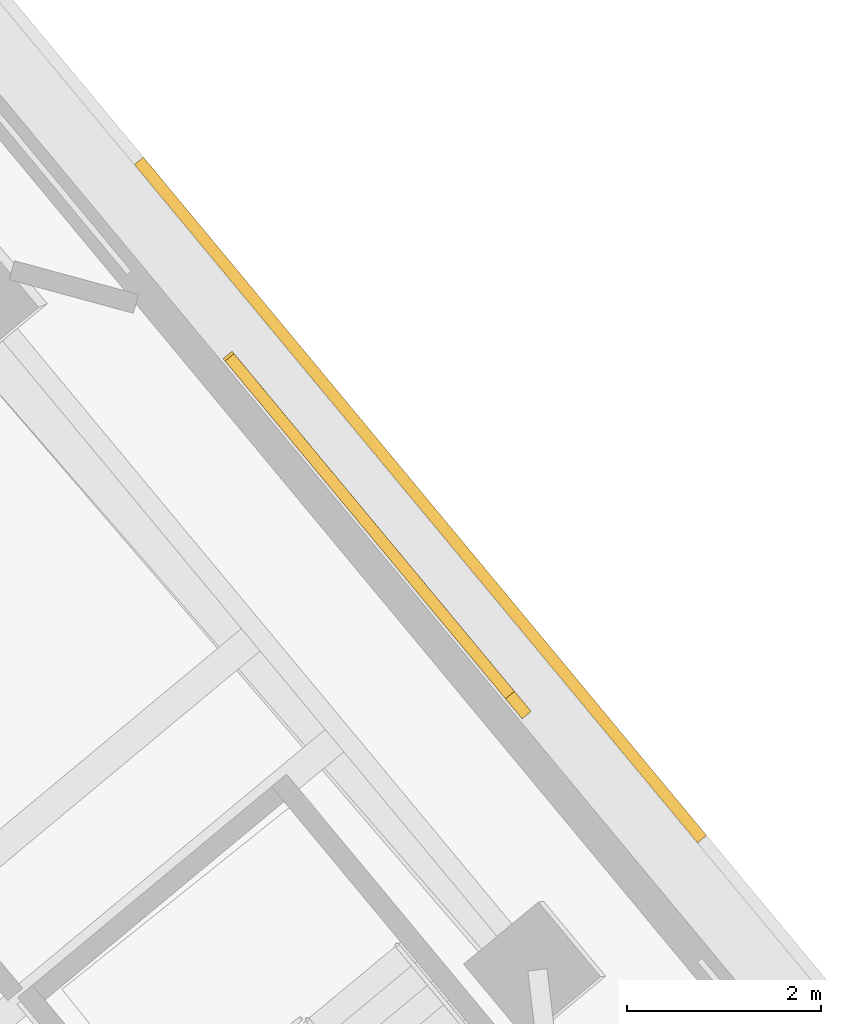
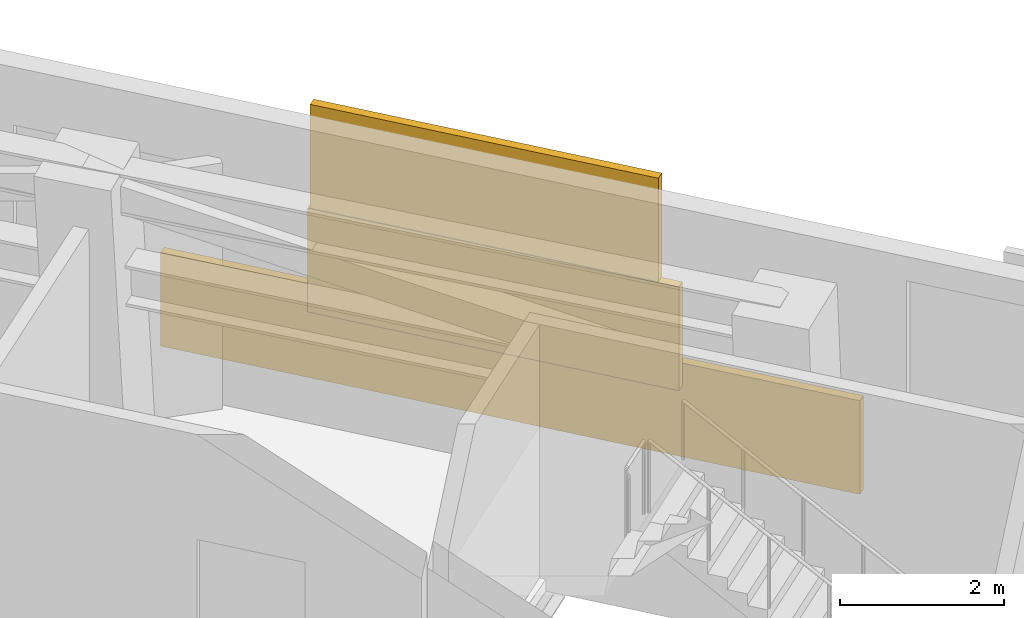
# One storey, part 22 of 22: 1 covering.
"""IFC4 building model written with IfcOpenShell, lengths in metres."""

from ifc_helpers import new_model, si_unit, direction, frame, origin, origin_2d, place, context, subcontext, project, spatial, rectangle, extrude, material, layer, layer_set, type_object, element, save


model = new_model("IFC4")

# Units and contexts
model_context = context("Model", 3, precision=1e-05, world=origin(), true_north=direction((0.0, 1.0)))
body_context = subcontext(model_context, "Body", "Model", "MODEL_VIEW")
ifc_project = project(units=[si_unit("LENGTHUNIT", "METRE"), si_unit("AREAUNIT", "SQUARE_METRE"), si_unit("VOLUMEUNIT", "CUBIC_METRE"), si_unit("PLANEANGLEUNIT", "RADIAN"), si_unit("MASSUNIT", "GRAM", prefix="KILO")], contexts=[model_context])

# Site, building, storey
site_placement = place(None, origin())
site = spatial("IfcSite", under=ifc_project, at=site_placement, CompositionType="ELEMENT")
building_placement = place(site_placement, origin())
building = spatial("IfcBuilding", under=site, at=building_placement, Name="Tamarind Cross Interchange Tower", CompositionType="ELEMENT")
storey_placement = place(building_placement, frame((0.0, 0.0, 178.0)))
storey = spatial("IfcBuildingStorey", under=building, at=storey_placement, Name="L44", CompositionType="ELEMENT", Elevation=178.0)

# Covering
ifc_material = material(Name="Terracotta", Category="masonry")
ifc_layer = layer(ifc_material, 0.1201171875)
ifc_layer_set = layer_set([ifc_layer], Name="Terracotta")
covering_type = type_object("IfcCoveringType", Name="Terracotta baguette screen unit", PredefinedType="MOLDING", material=ifc_layer_set)
covering_placement = place(storey_placement, origin())
element("IfcCovering", 1, at=covering_placement, inside=storey, type_object=covering_type, Name="SCR-L44-11-01", PredefinedType="MOLDING", context=body_context, shape_type="SweptSolid", body=[
    extrude(rectangle(XDim=1.03369140625, YDim=0.1201171875, at=origin_2d()), frame((-1.511474609375, 34.91943359375, 1.404052734375), z_axis=(0.0, 0.0, 1.0), x_axis=(-0.638800045488, 0.769372797728, 0.0)), (0.0, 0.0, 1.0), 1.5419921875),
    extrude(rectangle(XDim=1.52001953125, YDim=0.1201171875, at=origin_2d()), frame((-2.3173828125, 35.89013671875, 1.404052734375), z_axis=(0.0, 0.0, 1.0), x_axis=(-0.638800045488, 0.769372797728, 0.0)), (0.0, 0.0, 1.0), 1.5419921875),
    extrude(rectangle(XDim=1.52001953125, YDim=0.1201171875, at=origin_2d()), frame((-3.275634765625, 37.044189453125, 1.404052734375), z_axis=(0.0, 0.0, 1.0), x_axis=(-0.638800045488, 0.769372797728, 0.0)), (0.0, 0.0, 1.0), 1.5419921875),
    extrude(rectangle(XDim=0.797119140625, YDim=0.1201171875, at=origin_2d()), frame((-4.006103515625, 37.924072265625, 1.404052734375), z_axis=(0.0, 0.0, 1.0), x_axis=(-0.638800045488, 0.769372797728, 0.0)), (0.0, 0.0, 1.0), 1.5419921875),
    extrude(rectangle(XDim=1.52001953125, YDim=0.1201171875, at=origin_2d()), frame((-1.83837890625, 35.31298828125, 2.9541015625), z_axis=(0.0, 0.0, 1.0), x_axis=(-0.638800045488, 0.769372797728, 0.0)), (0.0, 0.0, 1.0), 1.5419921875),
    extrude(rectangle(XDim=1.52001953125, YDim=0.1201171875, at=origin_2d()), frame((-2.796630859375, 36.467041015625, 2.9541015625), z_axis=(0.0, 0.0, 1.0), x_axis=(-0.638800045488, 0.769372797728, 0.0)), (0.0, 0.0, 1.0), 1.5419921875),
    extrude(rectangle(XDim=1.52001953125, YDim=0.1201171875, at=origin_2d()), frame((-3.7548828125, 37.62109375, 2.9541015625), z_axis=(0.0, 0.0, 1.0), x_axis=(-0.638800045488, 0.769372797728, 0.0)), (0.0, 0.0, 1.0), 1.5419921875),
    extrude(rectangle(XDim=0.07763671875, YDim=0.1201171875, at=origin_2d()), frame((0.60009765625, 33.274658203125, 0.00390625), z_axis=(0.0, 0.0, 1.0), x_axis=(-0.638800045488, 0.769372797728, 0.0)), (0.0, 0.0, 1.0), 1.39208984375),
    extrude(rectangle(XDim=1.52001953125, YDim=0.1201171875, at=origin_2d()), frame((0.1025390625, 33.8740234375, 0.00390625), z_axis=(0.0, 0.0, 1.0), x_axis=(-0.638800045488, 0.769372797728, 0.0)), (0.0, 0.0, 1.0), 1.39208984375),
    extrude(rectangle(XDim=1.52001953125, YDim=0.1201171875, at=origin_2d()), frame((-0.85546875, 35.028076171875, 0.00390625), z_axis=(0.0, 0.0, 1.0), x_axis=(-0.638800045488, 0.769372797728, 0.0)), (0.0, 0.0, 1.0), 1.39208984375),
    extrude(rectangle(XDim=1.52001953125, YDim=0.1201171875, at=origin_2d()), frame((-1.813720703125, 36.18212890625, 0.00390625), z_axis=(0.0, 0.0, 1.0), x_axis=(-0.638800045488, 0.769372797728, 0.0)), (0.0, 0.0, 1.0), 1.39208984375),
    extrude(rectangle(XDim=1.52001953125, YDim=0.1201171875, at=origin_2d()), frame((-2.77197265625, 37.336181640625, 0.00390625), z_axis=(0.0, 0.0, 1.0), x_axis=(-0.638800045488, 0.769372797728, 0.0)), (0.0, 0.0, 1.0), 1.39208984375),
    extrude(rectangle(XDim=1.52001953125, YDim=0.1201171875, at=origin_2d()), frame((-3.730224609375, 38.490234375, 0.00390625), z_axis=(0.0, 0.0, 1.0), x_axis=(-0.638800045488, 0.769372797728, 0.0)), (0.0, 0.0, 1.0), 1.39208984375),
    extrude(rectangle(XDim=1.52001953125, YDim=0.1201171875, at=origin_2d()), frame((-4.6884765625, 39.644287109375, 0.00390625), z_axis=(0.0, 0.0, 1.0), x_axis=(-0.638800045488, 0.769372797728, 0.0)), (0.0, 0.0, 1.0), 1.39208984375),
])

save(model, "model.ifc")
